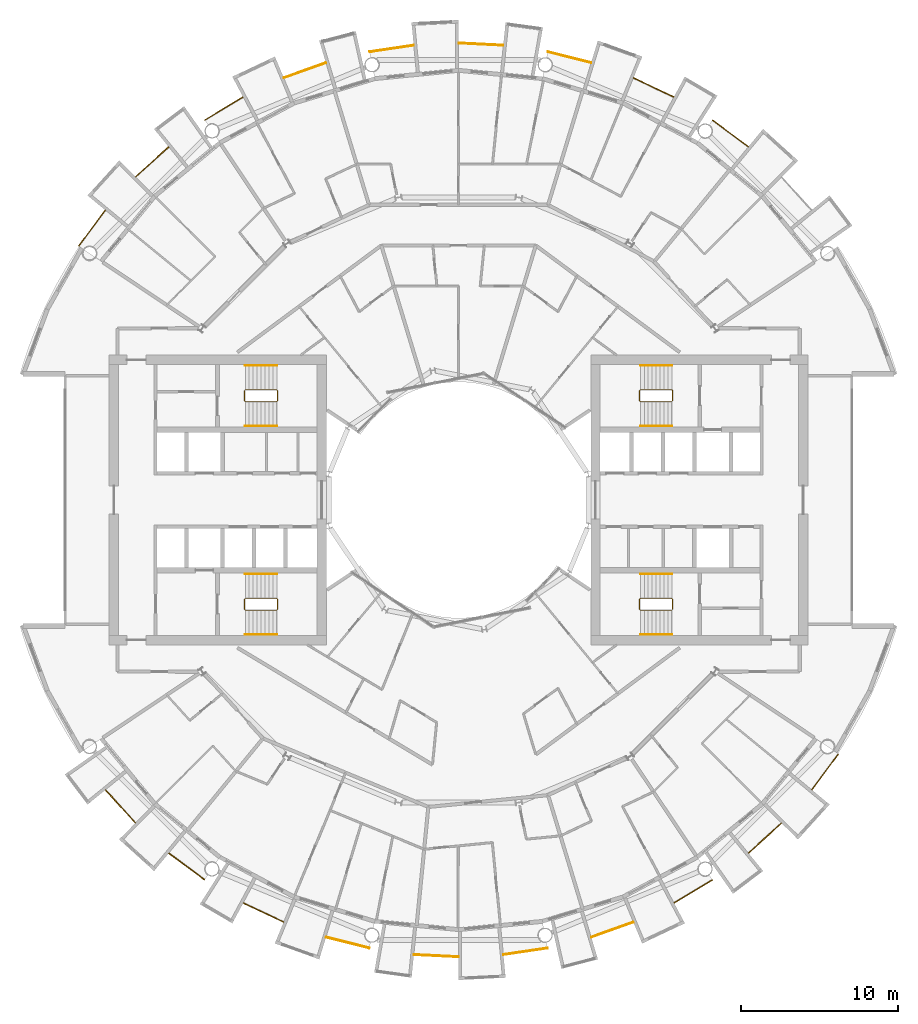
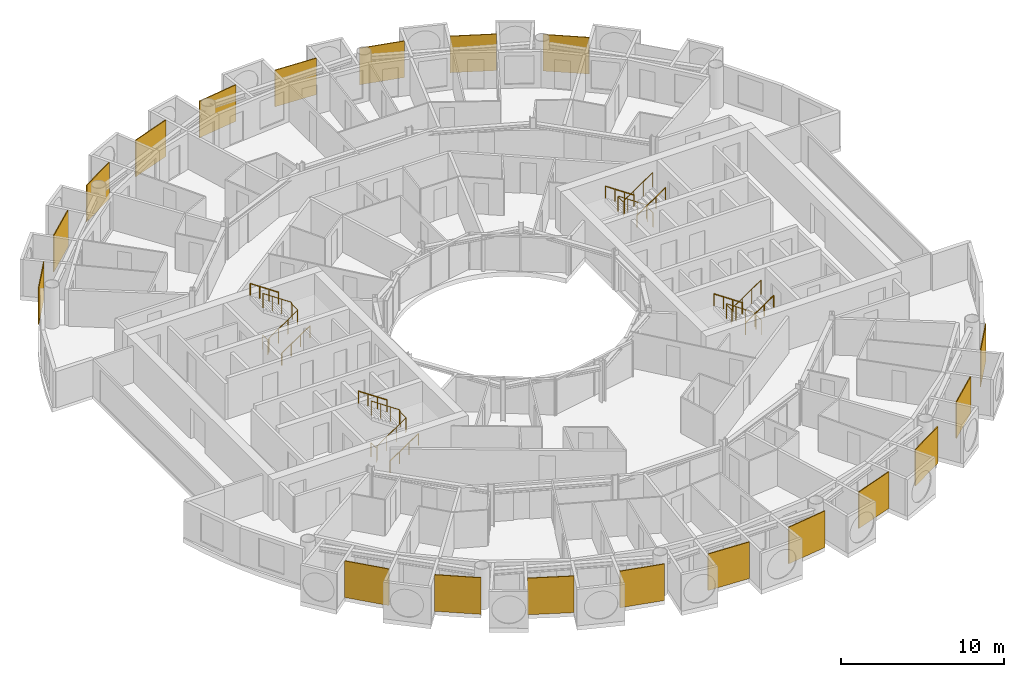
# One storey, part 26 of 27: 31 railings.
"""IFC4 building model written with IfcOpenShell, lengths in metres."""

from ifc_helpers import new_model, si_unit, direction, frame, origin, origin_2d, place, context, subcontext, project, spatial, polyline, circle, outline, extrude, material, layer, layer_set, type_object, element, save


model = new_model("IFC4")

# Units and contexts
model_context = context("Model", 3, precision=1e-05, world=origin(), true_north=direction((0.0, 1.0)))
body_context = subcontext(model_context, "Body", "Model", "MODEL_VIEW")
ifc_project = project(units=[si_unit("LENGTHUNIT", "METRE"), si_unit("AREAUNIT", "SQUARE_METRE"), si_unit("VOLUMEUNIT", "CUBIC_METRE"), si_unit("PLANEANGLEUNIT", "RADIAN"), si_unit("MASSUNIT", "GRAM", prefix="KILO")], contexts=[model_context])

# Site, building, storey
site_placement = place(None, origin())
site = spatial("IfcSite", under=ifc_project, at=site_placement, CompositionType="ELEMENT")
building_placement = place(site_placement, origin())
building = spatial("IfcBuilding", under=site, at=building_placement, Name="Maasbend Ring Residences", CompositionType="ELEMENT")
storey_placement = place(building_placement, frame((0.0, 0.0, 117.75)))
storey = spatial("IfcBuildingStorey", under=building, at=storey_placement, Name="L33", CompositionType="ELEMENT", Elevation=117.75)

# Railings
ifc_material_1 = material(Name="Pale anodised perforated aluminium", Category="aluminium")
ifc_layer = layer(ifc_material_1, 0.06005859375)
ifc_layer_set = layer_set([ifc_layer], Name="SCREEN-P")
railing_type_1 = type_object("IfcRailingType", Name="SCREEN-P", PredefinedType="GUARDRAIL", material=ifc_layer_set)
railing_1_placement = place(storey_placement, frame((0.0, 0.0, -0.030029296875)))
element("IfcRailing", 1, at=railing_1_placement, inside=storey, type_object=railing_type_1, Name="Perforated screen guard 2", PredefinedType="GUARDRAIL", context=body_context, shape_type="SweptSolid", body=[
    extrude(outline(polyline([(18.39697265625, 22.4169921875), (16.112060546875, 24.113037109375), (16.14697265625, 24.160888671875), (18.43310546875, 22.465087890625), (18.39697265625, 22.4169921875)])), origin(), (0.0, 0.0, 1.0), 2.72998046875),
])
railing_2_placement = place(storey_placement, frame((0.0, 0.0, -0.030029296875)))
element("IfcRailing", 2, at=railing_2_placement, inside=storey, type_object=railing_type_1, Name="Perforated screen guard 3", PredefinedType="GUARDRAIL", context=body_context, shape_type="SweptSolid", body=[
    extrude(outline(polyline([(13.6708984375, 25.575927734375), (11.097900390625, 26.79296875), (11.123046875, 26.846923828125), (13.696044921875, 25.6298828125), (13.6708984375, 25.575927734375)])), origin(), (0.0, 0.0, 1.0), 2.72998046875),
])
railing_3_placement = place(storey_placement, frame((0.0, 0.0, -0.030029296875)))
element("IfcRailing", 3, at=railing_3_placement, inside=storey, type_object=railing_type_1, Name="Perforated screen guard 4", PredefinedType="GUARDRAIL", context=body_context, shape_type="SweptSolid", body=[
    extrude(outline(polyline([(8.41796875, 27.7509765625), (5.657958984375, 28.443115234375), (5.672119140625, 28.5009765625), (8.43310546875, 27.80908203125), (8.41796875, 27.7509765625)])), origin(), (0.0, 0.0, 1.0), 2.72998046875),
])
railing_4_placement = place(storey_placement, frame((0.0, 0.0, -0.030029296875)))
element("IfcRailing", 4, at=railing_4_placement, inside=storey, type_object=railing_type_1, Name="Perforated screen guard 5", PredefinedType="GUARDRAIL", context=body_context, shape_type="SweptSolid", body=[
    extrude(outline(polyline([(2.842041015625, 28.860107421875), (0.0, 29.0), (0.0029296875, 29.06005859375), (2.844970703125, 28.919921875), (2.842041015625, 28.860107421875)])), origin(), (0.0, 0.0, 1.0), 2.72998046875),
])
railing_5_placement = place(storey_placement, frame((0.0, 0.0, -0.030029296875)))
element("IfcRailing", 5, at=railing_5_placement, inside=storey, type_object=railing_type_1, Name="Perforated screen guard 6", PredefinedType="GUARDRAIL", context=body_context, shape_type="SweptSolid", body=[
    extrude(outline(polyline([(-2.842041015625, 28.860107421875), (-5.657958984375, 28.443115234375), (-5.666015625, 28.501953125), (-2.85107421875, 28.919921875), (-2.842041015625, 28.860107421875)])), origin(), (0.0, 0.0, 1.0), 2.72998046875),
])
railing_6_placement = place(storey_placement, frame((0.0, 0.0, -0.030029296875)))
element("IfcRailing", 6, at=railing_6_placement, inside=storey, type_object=railing_type_1, Name="Perforated screen guard 7", PredefinedType="GUARDRAIL", context=body_context, shape_type="SweptSolid", body=[
    extrude(outline(polyline([(-8.41796875, 27.7509765625), (-11.097900390625, 26.79296875), (-11.117919921875, 26.84912109375), (-8.43798828125, 27.80810546875), (-8.41796875, 27.7509765625)])), origin(), (0.0, 0.0, 1.0), 2.72998046875),
])
railing_7_placement = place(storey_placement, frame((0.0, 0.0, -0.030029296875)))
element("IfcRailing", 7, at=railing_7_placement, inside=storey, type_object=railing_type_1, Name="Perforated screen guard 8", PredefinedType="GUARDRAIL", context=body_context, shape_type="SweptSolid", body=[
    extrude(outline(polyline([(-13.6708984375, 25.575927734375), (-16.112060546875, 24.113037109375), (-16.14208984375, 24.1640625), (-13.700927734375, 25.626953125), (-13.6708984375, 25.575927734375)])), origin(), (0.0, 0.0, 1.0), 2.72998046875),
])
railing_8_placement = place(storey_placement, frame((0.0, 0.0, -0.030029296875)))
element("IfcRailing", 8, at=railing_8_placement, inside=storey, type_object=railing_type_1, Name="Perforated screen guard 9", PredefinedType="GUARDRAIL", context=body_context, shape_type="SweptSolid", body=[
    extrude(outline(polyline([(-18.39697265625, 22.4169921875), (-20.506103515625, 20.506103515625), (-20.5458984375, 20.551025390625), (-18.43798828125, 22.4619140625), (-18.39697265625, 22.4169921875)])), origin(), (0.0, 0.0, 1.0), 2.72998046875),
])
railing_9_placement = place(storey_placement, frame((0.0, 0.0, -0.030029296875)))
element("IfcRailing", 9, at=railing_9_placement, inside=storey, type_object=railing_type_1, Name="Perforated screen guard 10", PredefinedType="GUARDRAIL", context=body_context, shape_type="SweptSolid", body=[
    extrude(outline(polyline([(-22.4169921875, 18.39697265625), (-24.113037109375, 16.112060546875), (-24.160888671875, 16.14697265625), (-22.465087890625, 18.43310546875), (-22.4169921875, 18.39697265625)])), origin(), (0.0, 0.0, 1.0), 2.72998046875),
])
railing_10_placement = place(storey_placement, frame((0.0, 0.0, -0.030029296875)))
element("IfcRailing", 10, at=railing_10_placement, inside=storey, type_object=railing_type_1, Name="Perforated screen guard 1", PredefinedType="GUARDRAIL", context=body_context, shape_type="SweptSolid", body=[
    extrude(outline(polyline([(-22.4169921875, -18.39697265625), (-20.506103515625, -20.506103515625), (-20.551025390625, -20.5458984375), (-22.4619140625, -18.43798828125), (-22.4169921875, -18.39697265625)])), origin(), (0.0, 0.0, 1.0), 2.72998046875),
])
railing_11_placement = place(storey_placement, frame((0.0, 0.0, -0.030029296875)))
element("IfcRailing", 11, at=railing_11_placement, inside=storey, type_object=railing_type_1, Name="Perforated screen guard 2", PredefinedType="GUARDRAIL", context=body_context, shape_type="SweptSolid", body=[
    extrude(outline(polyline([(-18.39697265625, -22.4169921875), (-16.112060546875, -24.113037109375), (-16.14697265625, -24.160888671875), (-18.43310546875, -22.465087890625), (-18.39697265625, -22.4169921875)])), origin(), (0.0, 0.0, 1.0), 2.72998046875),
])
railing_12_placement = place(storey_placement, frame((0.0, 0.0, -0.030029296875)))
element("IfcRailing", 12, at=railing_12_placement, inside=storey, type_object=railing_type_1, Name="Perforated screen guard 3", PredefinedType="GUARDRAIL", context=body_context, shape_type="SweptSolid", body=[
    extrude(outline(polyline([(-13.6708984375, -25.575927734375), (-11.097900390625, -26.79296875), (-11.123046875, -26.846923828125), (-13.696044921875, -25.6298828125), (-13.6708984375, -25.575927734375)])), origin(), (0.0, 0.0, 1.0), 2.72998046875),
])
railing_13_placement = place(storey_placement, frame((0.0, 0.0, -0.030029296875)))
element("IfcRailing", 13, at=railing_13_placement, inside=storey, type_object=railing_type_1, Name="Perforated screen guard 4", PredefinedType="GUARDRAIL", context=body_context, shape_type="SweptSolid", body=[
    extrude(outline(polyline([(-8.41796875, -27.7509765625), (-5.657958984375, -28.443115234375), (-5.672119140625, -28.5009765625), (-8.43310546875, -27.80908203125), (-8.41796875, -27.7509765625)])), origin(), (0.0, 0.0, 1.0), 2.72998046875),
])
railing_14_placement = place(storey_placement, frame((0.0, 0.0, -0.030029296875)))
element("IfcRailing", 14, at=railing_14_placement, inside=storey, type_object=railing_type_1, Name="Perforated screen guard 5", PredefinedType="GUARDRAIL", context=body_context, shape_type="SweptSolid", body=[
    extrude(outline(polyline([(-2.842041015625, -28.860107421875), (0.0, -29.0), (-0.0029296875, -29.06005859375), (-2.844970703125, -28.919921875), (-2.842041015625, -28.860107421875)])), origin(), (0.0, 0.0, 1.0), 2.72998046875),
])
railing_15_placement = place(storey_placement, frame((0.0, 0.0, -0.030029296875)))
element("IfcRailing", 15, at=railing_15_placement, inside=storey, type_object=railing_type_1, Name="Perforated screen guard 6", PredefinedType="GUARDRAIL", context=body_context, shape_type="SweptSolid", body=[
    extrude(outline(polyline([(2.842041015625, -28.860107421875), (5.657958984375, -28.443115234375), (5.666015625, -28.501953125), (2.85107421875, -28.919921875), (2.842041015625, -28.860107421875)])), origin(), (0.0, 0.0, 1.0), 2.72998046875),
])
railing_16_placement = place(storey_placement, frame((0.0, 0.0, -0.030029296875)))
element("IfcRailing", 16, at=railing_16_placement, inside=storey, type_object=railing_type_1, Name="Perforated screen guard 7", PredefinedType="GUARDRAIL", context=body_context, shape_type="SweptSolid", body=[
    extrude(outline(polyline([(8.41796875, -27.7509765625), (11.097900390625, -26.79296875), (11.117919921875, -26.84912109375), (8.43798828125, -27.80810546875), (8.41796875, -27.7509765625)])), origin(), (0.0, 0.0, 1.0), 2.72998046875),
])
railing_17_placement = place(storey_placement, frame((0.0, 0.0, -0.030029296875)))
element("IfcRailing", 17, at=railing_17_placement, inside=storey, type_object=railing_type_1, Name="Perforated screen guard 8", PredefinedType="GUARDRAIL", context=body_context, shape_type="SweptSolid", body=[
    extrude(outline(polyline([(13.6708984375, -25.575927734375), (16.112060546875, -24.113037109375), (16.14208984375, -24.1640625), (13.700927734375, -25.626953125), (13.6708984375, -25.575927734375)])), origin(), (0.0, 0.0, 1.0), 2.72998046875),
])
railing_18_placement = place(storey_placement, frame((0.0, 0.0, -0.030029296875)))
element("IfcRailing", 18, at=railing_18_placement, inside=storey, type_object=railing_type_1, Name="Perforated screen guard 9", PredefinedType="GUARDRAIL", context=body_context, shape_type="SweptSolid", body=[
    extrude(outline(polyline([(18.39697265625, -22.4169921875), (20.506103515625, -20.506103515625), (20.5458984375, -20.551025390625), (18.43798828125, -22.4619140625), (18.39697265625, -22.4169921875)])), origin(), (0.0, 0.0, 1.0), 2.72998046875),
])
railing_19_placement = place(storey_placement, frame((0.0, 0.0, -0.030029296875)))
element("IfcRailing", 19, at=railing_19_placement, inside=storey, type_object=railing_type_1, Name="Perforated screen guard 10", PredefinedType="GUARDRAIL", context=body_context, shape_type="SweptSolid", body=[
    extrude(outline(polyline([(22.4169921875, -18.39697265625), (24.113037109375, -16.112060546875), (24.160888671875, -16.14697265625), (22.465087890625, -18.43310546875), (22.4169921875, -18.39697265625)])), origin(), (0.0, 0.0, 1.0), 2.72998046875),
])
ifc_material_2 = material(Name="Stainless steel 316", Category="steel")
railing_type_2 = type_object("IfcRailingType", Name="STAIR GUARD 1100", PredefinedType="GUARDRAIL", material=ifc_material_2)
railing_20_placement = place(storey_placement, frame((13.60009765625, 6.300048828125, 0.0)))
element("IfcRailing", 20, at=railing_20_placement, inside=storey, type_object=railing_type_2, Name="L33 ST-E1 stair guard 1", PredefinedType="GUARDRAIL", context=body_context, shape_type="SweptSolid", body=[
    extrude(circle(Radius=0.02392578125, at=origin_2d()), frame((0.0, 0.0, 1.076171875), z_axis=(0.0, 1.0, 0.0), x_axis=(-1.0, 0.0, 0.0)), (0.0, 0.0, 1.0), 0.64990234375),
    extrude(circle(Radius=0.02392578125, at=origin_2d()), frame((0.0, 0.64990234375, 1.076171875), z_axis=(-0.272562526181, 0.272562526181, 0.92272386912), x_axis=(-0.707106781187, -0.707106781187, 0.0)), (0.0, 0.0, 1.0), 0.18359375),
    extrude(circle(Radius=0.02392578125, at=origin_2d()), frame((-0.050048828125, 0.699951171875, 1.24560546875), z_axis=(-0.827797584762, 0.0, 0.561026878735), x_axis=(0.0, -1.0, 0.0)), (0.0, 0.0, 1.0), 2.416015625),
    extrude(circle(Radius=0.02392578125, at=origin_2d()), frame((-2.050048828125, 0.699951171875, 2.60107421875), z_axis=(-0.707106781187, -0.707106781187, 0.0), x_axis=(0.707106781187, -0.707106781187, 0.0)), (0.0, 0.0, 1.0), 0.07080078125),
    extrude(circle(Radius=0.02392578125, at=origin_2d()), frame((-2.10009765625, 0.64990234375, 2.60107421875), z_axis=(0.0, -1.0, 0.0), x_axis=(1.0, 0.0, 0.0)), (0.0, 0.0, 1.0), 0.64990234375),
    extrude(circle(Radius=0.02392578125, at=origin_2d()), frame((-2.10009765625, 0.0, 2.60107421875), z_axis=(0.272562526181, -0.272562526181, 0.92272386912), x_axis=(0.707106781187, 0.707106781187, 0.0)), (0.0, 0.0, 1.0), 0.18359375),
    extrude(circle(Radius=0.02392578125, at=origin_2d()), frame((-2.050048828125, -0.050048828125, 2.7705078125), z_axis=(0.827750655447, 0.0, 0.561096116906), x_axis=(0.0, 1.0, 0.0)), (0.0, 0.0, 1.0), 2.416259765625),
    extrude(circle(Radius=0.02099609375, at=origin_2d()), origin(), (0.0, 0.0, 1.0), 1.052001953125),
    extrude(circle(Radius=0.02099609375, at=origin_2d()), frame((0.0, 0.64990234375, 0.0)), (0.0, 0.0, 1.0), 1.052001953125),
    extrude(circle(Radius=0.02099609375, at=origin_2d()), frame((-0.050048828125, 0.699951171875, 0.16943359375)), (0.0, 0.0, 1.0), 1.052001953125),
    extrude(circle(Radius=0.02099609375, at=origin_2d()), frame((-0.716796875, 0.699951171875, 0.621337890625)), (0.0, 0.0, 1.0), 1.052001953125),
    extrude(circle(Radius=0.02099609375, at=origin_2d()), frame((-1.38330078125, 0.699951171875, 1.072998046875)), (0.0, 0.0, 1.0), 1.052001953125),
    extrude(circle(Radius=0.02099609375, at=origin_2d()), frame((-2.050048828125, 0.699951171875, 1.52490234375)), (0.0, 0.0, 1.0), 1.052001953125),
    extrude(circle(Radius=0.02099609375, at=origin_2d()), frame((-2.10009765625, 0.64990234375, 1.52490234375)), (0.0, 0.0, 1.0), 1.052001953125),
    extrude(circle(Radius=0.02099609375, at=origin_2d()), frame((-2.10009765625, 0.0, 1.52490234375)), (0.0, 0.0, 1.0), 1.052001953125),
    extrude(circle(Radius=0.02099609375, at=origin_2d()), frame((-2.050048828125, -0.050048828125, 1.6943359375)), (0.0, 0.0, 1.0), 1.052001953125),
    extrude(circle(Radius=0.02099609375, at=origin_2d()), frame((-1.38330078125, -0.050048828125, 2.146240234375)), (0.0, 0.0, 1.0), 1.052001953125),
    extrude(circle(Radius=0.02099609375, at=origin_2d()), frame((-0.716796875, -0.050048828125, 2.59814453125)), (0.0, 0.0, 1.0), 1.052001953125),
    extrude(circle(Radius=0.02099609375, at=origin_2d()), frame((-0.050048828125, -0.050048828125, 3.050048828125)), (0.0, 0.0, 1.0), 1.052001953125),
])
railing_21_placement = place(storey_placement, frame((13.60009765625, -6.949951171875, 0.0)))
element("IfcRailing", 21, at=railing_21_placement, inside=storey, type_object=railing_type_2, Name="L33 ST-E2 stair guard 1", PredefinedType="GUARDRAIL", context=body_context, shape_type="SweptSolid", body=[
    extrude(circle(Radius=0.02392578125, at=origin_2d()), frame((0.0, 0.0, 1.076171875), z_axis=(0.0, 1.0, 0.0), x_axis=(-1.0, 0.0, 0.0)), (0.0, 0.0, 1.0), 0.64990234375),
    extrude(circle(Radius=0.02392578125, at=origin_2d()), frame((0.0, 0.64990234375, 1.076171875), z_axis=(-0.272562526181, 0.272562526181, 0.92272386912), x_axis=(-0.707106781187, -0.707106781187, 0.0)), (0.0, 0.0, 1.0), 0.18359375),
    extrude(circle(Radius=0.02392578125, at=origin_2d()), frame((-0.050048828125, 0.699951171875, 1.24560546875), z_axis=(-0.827797584762, 0.0, 0.561026878735), x_axis=(0.0, -1.0, 0.0)), (0.0, 0.0, 1.0), 2.416015625),
    extrude(circle(Radius=0.02392578125, at=origin_2d()), frame((-2.050048828125, 0.699951171875, 2.60107421875), z_axis=(-0.707106781187, -0.707106781187, 0.0), x_axis=(0.707106781187, -0.707106781187, 0.0)), (0.0, 0.0, 1.0), 0.07080078125),
    extrude(circle(Radius=0.02392578125, at=origin_2d()), frame((-2.10009765625, 0.64990234375, 2.60107421875), z_axis=(0.0, -1.0, 0.0), x_axis=(1.0, 0.0, 0.0)), (0.0, 0.0, 1.0), 0.64990234375),
    extrude(circle(Radius=0.02392578125, at=origin_2d()), frame((-2.10009765625, 0.0, 2.60107421875), z_axis=(0.272562526181, -0.272562526181, 0.92272386912), x_axis=(0.707106781187, 0.707106781187, 0.0)), (0.0, 0.0, 1.0), 0.18359375),
    extrude(circle(Radius=0.02392578125, at=origin_2d()), frame((-2.050048828125, -0.050048828125, 2.7705078125), z_axis=(0.827750655447, 0.0, 0.561096116906), x_axis=(0.0, 1.0, 0.0)), (0.0, 0.0, 1.0), 2.416259765625),
    extrude(circle(Radius=0.02099609375, at=origin_2d()), origin(), (0.0, 0.0, 1.0), 1.052001953125),
    extrude(circle(Radius=0.02099609375, at=origin_2d()), frame((0.0, 0.64990234375, 0.0)), (0.0, 0.0, 1.0), 1.052001953125),
    extrude(circle(Radius=0.02099609375, at=origin_2d()), frame((-0.050048828125, 0.699951171875, 0.16943359375)), (0.0, 0.0, 1.0), 1.052001953125),
    extrude(circle(Radius=0.02099609375, at=origin_2d()), frame((-0.716796875, 0.699951171875, 0.621337890625)), (0.0, 0.0, 1.0), 1.052001953125),
    extrude(circle(Radius=0.02099609375, at=origin_2d()), frame((-1.38330078125, 0.699951171875, 1.072998046875)), (0.0, 0.0, 1.0), 1.052001953125),
    extrude(circle(Radius=0.02099609375, at=origin_2d()), frame((-2.050048828125, 0.699951171875, 1.52490234375)), (0.0, 0.0, 1.0), 1.052001953125),
    extrude(circle(Radius=0.02099609375, at=origin_2d()), frame((-2.10009765625, 0.64990234375, 1.52490234375)), (0.0, 0.0, 1.0), 1.052001953125),
    extrude(circle(Radius=0.02099609375, at=origin_2d()), frame((-2.10009765625, 0.0, 1.52490234375)), (0.0, 0.0, 1.0), 1.052001953125),
    extrude(circle(Radius=0.02099609375, at=origin_2d()), frame((-2.050048828125, -0.050048828125, 1.6943359375)), (0.0, 0.0, 1.0), 1.052001953125),
    extrude(circle(Radius=0.02099609375, at=origin_2d()), frame((-1.38330078125, -0.050048828125, 2.146240234375)), (0.0, 0.0, 1.0), 1.052001953125),
    extrude(circle(Radius=0.02099609375, at=origin_2d()), frame((-0.716796875, -0.050048828125, 2.59814453125)), (0.0, 0.0, 1.0), 1.052001953125),
    extrude(circle(Radius=0.02099609375, at=origin_2d()), frame((-0.050048828125, -0.050048828125, 3.050048828125)), (0.0, 0.0, 1.0), 1.052001953125),
])
railing_22_placement = place(storey_placement, frame((-13.60009765625, -6.300048828125, 0.0)))
element("IfcRailing", 22, at=railing_22_placement, inside=storey, type_object=railing_type_2, Name="L33 ST-W1 stair guard 1", PredefinedType="GUARDRAIL", context=body_context, shape_type="SweptSolid", body=[
    extrude(circle(Radius=0.02392578125, at=origin_2d()), frame((0.0, 0.0, 1.076171875), z_axis=(0.0, -1.0, 0.0), x_axis=(1.0, 0.0, 0.0)), (0.0, 0.0, 1.0), 0.64990234375),
    extrude(circle(Radius=0.02392578125, at=origin_2d()), frame((0.0, -0.64990234375, 1.076171875), z_axis=(0.272562526181, -0.272562526181, 0.92272386912), x_axis=(0.707106781187, 0.707106781187, 0.0)), (0.0, 0.0, 1.0), 0.18359375),
    extrude(circle(Radius=0.02392578125, at=origin_2d()), frame((0.050048828125, -0.699951171875, 1.24560546875), z_axis=(0.827797584762, 0.0, 0.561026878735), x_axis=(0.0, 1.0, 0.0)), (0.0, 0.0, 1.0), 2.416015625),
    extrude(circle(Radius=0.02392578125, at=origin_2d()), frame((2.050048828125, -0.699951171875, 2.60107421875), z_axis=(0.707106781187, 0.707106781187, 0.0), x_axis=(-0.707106781187, 0.707106781187, 0.0)), (0.0, 0.0, 1.0), 0.07080078125),
    extrude(circle(Radius=0.02392578125, at=origin_2d()), frame((2.10009765625, -0.64990234375, 2.60107421875), z_axis=(0.0, 1.0, 0.0), x_axis=(-1.0, 0.0, 0.0)), (0.0, 0.0, 1.0), 0.64990234375),
    extrude(circle(Radius=0.02392578125, at=origin_2d()), frame((2.10009765625, 0.0, 2.60107421875), z_axis=(-0.272562526181, 0.272562526181, 0.92272386912), x_axis=(-0.707106781187, -0.707106781187, 0.0)), (0.0, 0.0, 1.0), 0.18359375),
    extrude(circle(Radius=0.02392578125, at=origin_2d()), frame((2.050048828125, 0.050048828125, 2.7705078125), z_axis=(-0.827750655447, 0.0, 0.561096116906), x_axis=(0.0, -1.0, 0.0)), (0.0, 0.0, 1.0), 2.416259765625),
    extrude(circle(Radius=0.02099609375, at=origin_2d()), origin(), (0.0, 0.0, 1.0), 1.052001953125),
    extrude(circle(Radius=0.02099609375, at=origin_2d()), frame((0.0, -0.64990234375, 0.0)), (0.0, 0.0, 1.0), 1.052001953125),
    extrude(circle(Radius=0.02099609375, at=origin_2d()), frame((0.050048828125, -0.699951171875, 0.16943359375)), (0.0, 0.0, 1.0), 1.052001953125),
    extrude(circle(Radius=0.02099609375, at=origin_2d()), frame((0.716796875, -0.699951171875, 0.621337890625)), (0.0, 0.0, 1.0), 1.052001953125),
    extrude(circle(Radius=0.02099609375, at=origin_2d()), frame((1.38330078125, -0.699951171875, 1.072998046875)), (0.0, 0.0, 1.0), 1.052001953125),
    extrude(circle(Radius=0.02099609375, at=origin_2d()), frame((2.050048828125, -0.699951171875, 1.52490234375)), (0.0, 0.0, 1.0), 1.052001953125),
    extrude(circle(Radius=0.02099609375, at=origin_2d()), frame((2.10009765625, -0.64990234375, 1.52490234375)), (0.0, 0.0, 1.0), 1.052001953125),
    extrude(circle(Radius=0.02099609375, at=origin_2d()), frame((2.10009765625, 0.0, 1.52490234375)), (0.0, 0.0, 1.0), 1.052001953125),
    extrude(circle(Radius=0.02099609375, at=origin_2d()), frame((2.050048828125, 0.050048828125, 1.6943359375)), (0.0, 0.0, 1.0), 1.052001953125),
    extrude(circle(Radius=0.02099609375, at=origin_2d()), frame((1.38330078125, 0.050048828125, 2.146240234375)), (0.0, 0.0, 1.0), 1.052001953125),
    extrude(circle(Radius=0.02099609375, at=origin_2d()), frame((0.716796875, 0.050048828125, 2.59814453125)), (0.0, 0.0, 1.0), 1.052001953125),
    extrude(circle(Radius=0.02099609375, at=origin_2d()), frame((0.050048828125, 0.050048828125, 3.050048828125)), (0.0, 0.0, 1.0), 1.052001953125),
])
railing_23_placement = place(storey_placement, frame((-13.60009765625, 6.949951171875, 0.0)))
element("IfcRailing", 23, at=railing_23_placement, inside=storey, type_object=railing_type_2, Name="L33 ST-W2 stair guard 1", PredefinedType="GUARDRAIL", context=body_context, shape_type="SweptSolid", body=[
    extrude(circle(Radius=0.02392578125, at=origin_2d()), frame((0.0, 0.0, 1.076171875), z_axis=(0.0, -1.0, 0.0), x_axis=(1.0, 0.0, 0.0)), (0.0, 0.0, 1.0), 0.64990234375),
    extrude(circle(Radius=0.02392578125, at=origin_2d()), frame((0.0, -0.64990234375, 1.076171875), z_axis=(0.272562526181, -0.272562526181, 0.92272386912), x_axis=(0.707106781187, 0.707106781187, 0.0)), (0.0, 0.0, 1.0), 0.18359375),
    extrude(circle(Radius=0.02392578125, at=origin_2d()), frame((0.050048828125, -0.699951171875, 1.24560546875), z_axis=(0.827797584762, 0.0, 0.561026878735), x_axis=(0.0, 1.0, 0.0)), (0.0, 0.0, 1.0), 2.416015625),
    extrude(circle(Radius=0.02392578125, at=origin_2d()), frame((2.050048828125, -0.699951171875, 2.60107421875), z_axis=(0.707106781187, 0.707106781187, 0.0), x_axis=(-0.707106781187, 0.707106781187, 0.0)), (0.0, 0.0, 1.0), 0.07080078125),
    extrude(circle(Radius=0.02392578125, at=origin_2d()), frame((2.10009765625, -0.64990234375, 2.60107421875), z_axis=(0.0, 1.0, 0.0), x_axis=(-1.0, 0.0, 0.0)), (0.0, 0.0, 1.0), 0.64990234375),
    extrude(circle(Radius=0.02392578125, at=origin_2d()), frame((2.10009765625, 0.0, 2.60107421875), z_axis=(-0.272562526181, 0.272562526181, 0.92272386912), x_axis=(-0.707106781187, -0.707106781187, 0.0)), (0.0, 0.0, 1.0), 0.18359375),
    extrude(circle(Radius=0.02392578125, at=origin_2d()), frame((2.050048828125, 0.050048828125, 2.7705078125), z_axis=(-0.827750655447, 0.0, 0.561096116906), x_axis=(0.0, -1.0, 0.0)), (0.0, 0.0, 1.0), 2.416259765625),
    extrude(circle(Radius=0.02099609375, at=origin_2d()), origin(), (0.0, 0.0, 1.0), 1.052001953125),
    extrude(circle(Radius=0.02099609375, at=origin_2d()), frame((0.0, -0.64990234375, 0.0)), (0.0, 0.0, 1.0), 1.052001953125),
    extrude(circle(Radius=0.02099609375, at=origin_2d()), frame((0.050048828125, -0.699951171875, 0.16943359375)), (0.0, 0.0, 1.0), 1.052001953125),
    extrude(circle(Radius=0.02099609375, at=origin_2d()), frame((0.716796875, -0.699951171875, 0.621337890625)), (0.0, 0.0, 1.0), 1.052001953125),
    extrude(circle(Radius=0.02099609375, at=origin_2d()), frame((1.38330078125, -0.699951171875, 1.072998046875)), (0.0, 0.0, 1.0), 1.052001953125),
    extrude(circle(Radius=0.02099609375, at=origin_2d()), frame((2.050048828125, -0.699951171875, 1.52490234375)), (0.0, 0.0, 1.0), 1.052001953125),
    extrude(circle(Radius=0.02099609375, at=origin_2d()), frame((2.10009765625, -0.64990234375, 1.52490234375)), (0.0, 0.0, 1.0), 1.052001953125),
    extrude(circle(Radius=0.02099609375, at=origin_2d()), frame((2.10009765625, 0.0, 1.52490234375)), (0.0, 0.0, 1.0), 1.052001953125),
    extrude(circle(Radius=0.02099609375, at=origin_2d()), frame((2.050048828125, 0.050048828125, 1.6943359375)), (0.0, 0.0, 1.0), 1.052001953125),
    extrude(circle(Radius=0.02099609375, at=origin_2d()), frame((1.38330078125, 0.050048828125, 2.146240234375)), (0.0, 0.0, 1.0), 1.052001953125),
    extrude(circle(Radius=0.02099609375, at=origin_2d()), frame((0.716796875, 0.050048828125, 2.59814453125)), (0.0, 0.0, 1.0), 1.052001953125),
    extrude(circle(Radius=0.02099609375, at=origin_2d()), frame((0.050048828125, 0.050048828125, 3.050048828125)), (0.0, 0.0, 1.0), 1.052001953125),
])
ifc_material_3 = material(Name="Stainless steel 316", Category="steel")
railing_type_3 = type_object("IfcRailingType", Name="STAIR HANDRAIL 900", PredefinedType="HANDRAIL", material=ifc_material_3)
railing_24_placement = place(storey_placement, frame((13.550048828125, 8.550048828125, 0.16943359375)))
element("IfcRailing", 24, at=railing_24_placement, inside=storey, type_object=railing_type_3, Name="L33 ST-E1 stair handrail 1", PredefinedType="HANDRAIL", context=body_context, shape_type="SweptSolid", body=[
    extrude(circle(Radius=0.02392578125, at=origin_2d()), frame((0.0, 0.0, 0.8759765625), z_axis=(-0.827797584762, 0.0, 0.561026878735), x_axis=(0.0, -1.0, 0.0)), (0.0, 0.0, 1.0), 2.416015625),
    extrude(circle(Radius=0.02099609375, at=origin_2d()), origin(), (0.0, 0.0, 1.0), 0.851806640625),
    extrude(circle(Radius=0.02099609375, at=origin_2d()), frame((-0.666748046875, 0.0, 0.451904296875)), (0.0, 0.0, 1.0), 0.851806640625),
    extrude(circle(Radius=0.02099609375, at=origin_2d()), frame((-1.333251953125, 0.0, 0.903564453125)), (0.0, 0.0, 1.0), 0.851806640625),
    extrude(circle(Radius=0.02099609375, at=origin_2d()), frame((-2.0, 0.0, 1.35546875)), (0.0, 0.0, 1.0), 0.851806640625),
])
railing_25_placement = place(storey_placement, frame((11.550048828125, 4.699951171875, 1.6943359375)))
element("IfcRailing", 25, at=railing_25_placement, inside=storey, type_object=railing_type_3, Name="L33 ST-E1 stair handrail 2", PredefinedType="HANDRAIL", context=body_context, shape_type="SweptSolid", body=[
    extrude(circle(Radius=0.02392578125, at=origin_2d()), frame((0.0, 0.0, 0.8759765625), z_axis=(0.827750655447, 0.0, 0.561096116906), x_axis=(0.0, 1.0, 0.0)), (0.0, 0.0, 1.0), 2.416259765625),
    extrude(circle(Radius=0.02099609375, at=origin_2d()), origin(), (0.0, 0.0, 1.0), 0.851806640625),
    extrude(circle(Radius=0.02099609375, at=origin_2d()), frame((0.666748046875, 0.0, 0.451904296875)), (0.0, 0.0, 1.0), 0.851806640625),
    extrude(circle(Radius=0.02099609375, at=origin_2d()), frame((1.333251953125, 0.0, 0.90380859375)), (0.0, 0.0, 1.0), 0.851806640625),
    extrude(circle(Radius=0.02099609375, at=origin_2d()), frame((2.0, 0.0, 1.355712890625)), (0.0, 0.0, 1.0), 0.851806640625),
])
railing_26_placement = place(storey_placement, frame((13.550048828125, -4.699951171875, 0.16943359375)))
element("IfcRailing", 26, at=railing_26_placement, inside=storey, type_object=railing_type_3, Name="L33 ST-E2 stair handrail 1", PredefinedType="HANDRAIL", context=body_context, shape_type="SweptSolid", body=[
    extrude(circle(Radius=0.02392578125, at=origin_2d()), frame((0.0, 0.0, 0.8759765625), z_axis=(-0.827797584762, 0.0, 0.561026878735), x_axis=(0.0, -1.0, 0.0)), (0.0, 0.0, 1.0), 2.416015625),
    extrude(circle(Radius=0.02099609375, at=origin_2d()), origin(), (0.0, 0.0, 1.0), 0.851806640625),
    extrude(circle(Radius=0.02099609375, at=origin_2d()), frame((-0.666748046875, 0.0, 0.451904296875)), (0.0, 0.0, 1.0), 0.851806640625),
    extrude(circle(Radius=0.02099609375, at=origin_2d()), frame((-1.333251953125, 0.0, 0.903564453125)), (0.0, 0.0, 1.0), 0.851806640625),
    extrude(circle(Radius=0.02099609375, at=origin_2d()), frame((-2.0, 0.0, 1.35546875)), (0.0, 0.0, 1.0), 0.851806640625),
])
railing_27_placement = place(storey_placement, frame((11.550048828125, -8.550048828125, 1.6943359375)))
element("IfcRailing", 27, at=railing_27_placement, inside=storey, type_object=railing_type_3, Name="L33 ST-E2 stair handrail 2", PredefinedType="HANDRAIL", context=body_context, shape_type="SweptSolid", body=[
    extrude(circle(Radius=0.02392578125, at=origin_2d()), frame((0.0, 0.0, 0.8759765625), z_axis=(0.827750655447, 0.0, 0.561096116906), x_axis=(0.0, 1.0, 0.0)), (0.0, 0.0, 1.0), 2.416259765625),
    extrude(circle(Radius=0.02099609375, at=origin_2d()), origin(), (0.0, 0.0, 1.0), 0.851806640625),
    extrude(circle(Radius=0.02099609375, at=origin_2d()), frame((0.666748046875, 0.0, 0.451904296875)), (0.0, 0.0, 1.0), 0.851806640625),
    extrude(circle(Radius=0.02099609375, at=origin_2d()), frame((1.333251953125, 0.0, 0.90380859375)), (0.0, 0.0, 1.0), 0.851806640625),
    extrude(circle(Radius=0.02099609375, at=origin_2d()), frame((2.0, 0.0, 1.355712890625)), (0.0, 0.0, 1.0), 0.851806640625),
])
railing_28_placement = place(storey_placement, frame((-13.550048828125, -8.550048828125, 0.16943359375)))
element("IfcRailing", 28, at=railing_28_placement, inside=storey, type_object=railing_type_3, Name="L33 ST-W1 stair handrail 1", PredefinedType="HANDRAIL", context=body_context, shape_type="SweptSolid", body=[
    extrude(circle(Radius=0.02392578125, at=origin_2d()), frame((0.0, 0.0, 0.8759765625), z_axis=(0.827797584762, 0.0, 0.561026878735), x_axis=(0.0, 1.0, 0.0)), (0.0, 0.0, 1.0), 2.416015625),
    extrude(circle(Radius=0.02099609375, at=origin_2d()), origin(), (0.0, 0.0, 1.0), 0.851806640625),
    extrude(circle(Radius=0.02099609375, at=origin_2d()), frame((0.666748046875, 0.0, 0.451904296875)), (0.0, 0.0, 1.0), 0.851806640625),
    extrude(circle(Radius=0.02099609375, at=origin_2d()), frame((1.333251953125, 0.0, 0.903564453125)), (0.0, 0.0, 1.0), 0.851806640625),
    extrude(circle(Radius=0.02099609375, at=origin_2d()), frame((2.0, 0.0, 1.35546875)), (0.0, 0.0, 1.0), 0.851806640625),
])
railing_29_placement = place(storey_placement, frame((-11.550048828125, -4.699951171875, 1.6943359375)))
element("IfcRailing", 29, at=railing_29_placement, inside=storey, type_object=railing_type_3, Name="L33 ST-W1 stair handrail 2", PredefinedType="HANDRAIL", context=body_context, shape_type="SweptSolid", body=[
    extrude(circle(Radius=0.02392578125, at=origin_2d()), frame((0.0, 0.0, 0.8759765625), z_axis=(-0.827750655447, 0.0, 0.561096116906), x_axis=(0.0, -1.0, 0.0)), (0.0, 0.0, 1.0), 2.416259765625),
    extrude(circle(Radius=0.02099609375, at=origin_2d()), origin(), (0.0, 0.0, 1.0), 0.851806640625),
    extrude(circle(Radius=0.02099609375, at=origin_2d()), frame((-0.666748046875, 0.0, 0.451904296875)), (0.0, 0.0, 1.0), 0.851806640625),
    extrude(circle(Radius=0.02099609375, at=origin_2d()), frame((-1.333251953125, 0.0, 0.90380859375)), (0.0, 0.0, 1.0), 0.851806640625),
    extrude(circle(Radius=0.02099609375, at=origin_2d()), frame((-2.0, 0.0, 1.355712890625)), (0.0, 0.0, 1.0), 0.851806640625),
])
railing_30_placement = place(storey_placement, frame((-13.550048828125, 4.699951171875, 0.16943359375)))
element("IfcRailing", 30, at=railing_30_placement, inside=storey, type_object=railing_type_3, Name="L33 ST-W2 stair handrail 1", PredefinedType="HANDRAIL", context=body_context, shape_type="SweptSolid", body=[
    extrude(circle(Radius=0.02392578125, at=origin_2d()), frame((0.0, 0.0, 0.8759765625), z_axis=(0.827797584762, 0.0, 0.561026878735), x_axis=(0.0, 1.0, 0.0)), (0.0, 0.0, 1.0), 2.416015625),
    extrude(circle(Radius=0.02099609375, at=origin_2d()), origin(), (0.0, 0.0, 1.0), 0.851806640625),
    extrude(circle(Radius=0.02099609375, at=origin_2d()), frame((0.666748046875, 0.0, 0.451904296875)), (0.0, 0.0, 1.0), 0.851806640625),
    extrude(circle(Radius=0.02099609375, at=origin_2d()), frame((1.333251953125, 0.0, 0.903564453125)), (0.0, 0.0, 1.0), 0.851806640625),
    extrude(circle(Radius=0.02099609375, at=origin_2d()), frame((2.0, 0.0, 1.35546875)), (0.0, 0.0, 1.0), 0.851806640625),
])
railing_31_placement = place(storey_placement, frame((-11.550048828125, 8.550048828125, 1.6943359375)))
element("IfcRailing", 31, at=railing_31_placement, inside=storey, type_object=railing_type_3, Name="L33 ST-W2 stair handrail 2", PredefinedType="HANDRAIL", context=body_context, shape_type="SweptSolid", body=[
    extrude(circle(Radius=0.02392578125, at=origin_2d()), frame((0.0, 0.0, 0.8759765625), z_axis=(-0.827750655447, 0.0, 0.561096116906), x_axis=(0.0, -1.0, 0.0)), (0.0, 0.0, 1.0), 2.416259765625),
    extrude(circle(Radius=0.02099609375, at=origin_2d()), origin(), (0.0, 0.0, 1.0), 0.851806640625),
    extrude(circle(Radius=0.02099609375, at=origin_2d()), frame((-0.666748046875, 0.0, 0.451904296875)), (0.0, 0.0, 1.0), 0.851806640625),
    extrude(circle(Radius=0.02099609375, at=origin_2d()), frame((-1.333251953125, 0.0, 0.90380859375)), (0.0, 0.0, 1.0), 0.851806640625),
    extrude(circle(Radius=0.02099609375, at=origin_2d()), frame((-2.0, 0.0, 1.355712890625)), (0.0, 0.0, 1.0), 0.851806640625),
])

save(model, "model.ifc")
